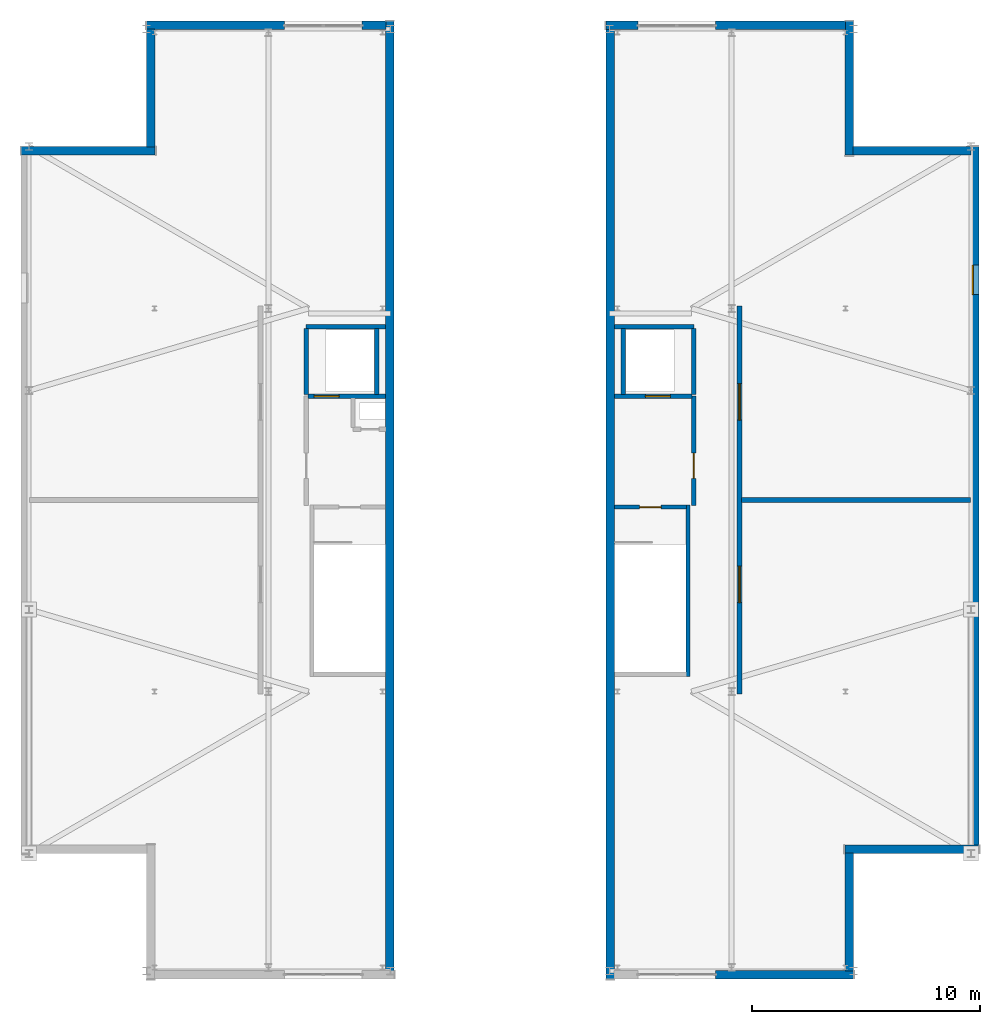
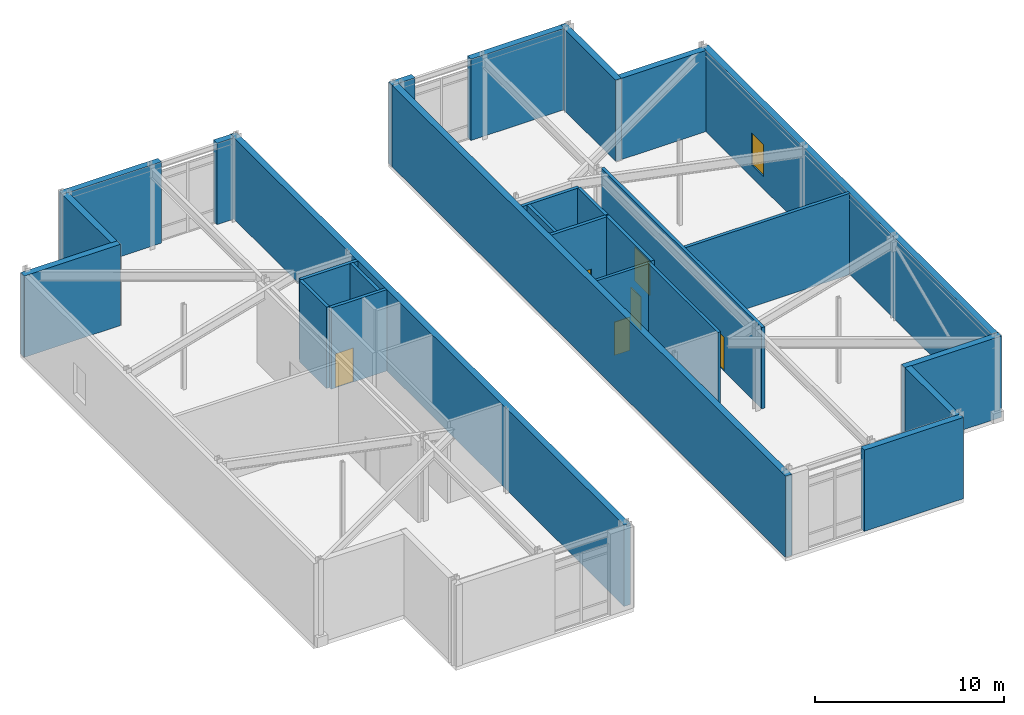
# One storey, part 12 of 14: 27 walls, 6 doors, 1 window, 7 openings.
"""IFC4 building model written with IfcOpenShell, lengths in metres."""

from ifc_helpers import new_model, si_unit, direction, frame, frame_2d, origin, place, context, subcontext, project, spatial, rectangle, extrude, material, layer, layer_set, type_object, element, fill, save


model = new_model("IFC4")

# Units and contexts
model_context = context("Model", 3, precision=1e-05, world=origin(), true_north=direction((0.0, 1.0)))
body_context = subcontext(model_context, "Body", "Model", "MODEL_VIEW")
ifc_project = project(units=[si_unit("LENGTHUNIT", "METRE"), si_unit("AREAUNIT", "SQUARE_METRE"), si_unit("VOLUMEUNIT", "CUBIC_METRE"), si_unit("PLANEANGLEUNIT", "RADIAN"), si_unit("MASSUNIT", "GRAM", prefix="KILO")], contexts=[model_context])

# Site, building, storey
site_placement = place(None, origin())
site = spatial("IfcSite", under=ifc_project, at=site_placement, CompositionType="ELEMENT")
building_placement = place(site_placement, origin())
building = spatial("IfcBuilding", under=site, at=building_placement, Name="Cairnveth Concourse Tower", CompositionType="ELEMENT")
storey_placement = place(building_placement, frame((0.0, 0.0, 330.0)))
storey = spatial("IfcBuildingStorey", under=building, at=storey_placement, Name="L90", CompositionType="ELEMENT", Elevation=330.0)

# Walls
ifc_material_1 = material(Name="Melbourne Buff Fired Clay Brick Masonry", Category="masonry")
ifc_layer_1 = layer(ifc_material_1, 0.3798828125)
ifc_layer_set_1 = layer_set([ifc_layer_1], Name="Melbourne Buff Fired Clay Brick Masonry")
wall_type_1 = type_object("IfcWallType", Name="EXTERIOR BRICK SPANDREL WALL 380", PredefinedType="SOLIDWALL", material=ifc_layer_set_1)
wall_1_placement = place(storey_placement, frame((31.0, 54.31005859375, 0.0), z_axis=(0.0, 0.0, 1.0), x_axis=(1.0, 0.0, 0.0)))
element("IfcWall", 1, at=wall_1_placement, inside=storey, type_object=wall_type_1, Name="Exterior Wall EW-L90-W3", PredefinedType="SOLIDWALL", context=body_context, shape_type="SweptSolid", body=[
    extrude(rectangle(XDim=5.8798828125, YDim=0.3798828125, at=frame_2d((2.93994140625, 0.0))), origin(), (0.0, 0.0, 1.0), 5.25),
])
wall_2_placement = place(storey_placement, frame((36.68994140625, 54.47802734375, 0.0), z_axis=(0.0, 0.0, 1.0), x_axis=(0.0, 1.0, 0.0)))
element("IfcWall", 2, at=wall_2_placement, inside=storey, type_object=wall_type_1, Name="Exterior Wall EW-L90-W4", PredefinedType="SOLIDWALL", context=body_context, shape_type="SweptSolid", body=[
    extrude(rectangle(XDim=5.1640625, YDim=0.3798828125, at=frame_2d((2.58203125, 0.0))), origin(), (0.0, 0.0, 1.0), 5.25),
])
wall_3_placement = place(storey_placement, frame((36.5, 59.81005859375, 0.0), z_axis=(0.0, 0.0, 1.0), x_axis=(1.0, 0.0, 0.0)))
element("IfcWall", 3, at=wall_3_placement, inside=storey, type_object=wall_type_1, Name="Exterior Wall EW-L90-W5A", PredefinedType="SOLIDWALL", context=body_context, shape_type="SweptSolid", body=[
    extrude(rectangle(XDim=6.050048828125, YDim=0.3798828125, at=frame_2d((3.02490234375, 0.0))), origin(), (0.0, 0.0, 1.0), 5.25),
])
wall_4_placement = place(storey_placement, frame((45.949951171875, 59.81005859375, 0.0), z_axis=(0.0, 0.0, 1.0), x_axis=(1.0, 0.0, 0.0)))
element("IfcWall", 4, at=wall_4_placement, inside=storey, type_object=wall_type_1, Name="Exterior Wall EW-L90-W5B", PredefinedType="SOLIDWALL", context=body_context, shape_type="SweptSolid", body=[
    extrude(rectangle(XDim=1.052001953125, YDim=0.3798828125, at=frame_2d((0.52587890625, 0.0))), origin(), (0.0, 0.0, 1.0), 5.25),
])
for number, where, z_axis, x_axis, name in (
    (5, (47.169921875, 60.0, 0.0), (0.0, 0.0, 1.0), (0.0, -1.0, 0.0), "Exterior Wall EW-L90-W6"),
    (6, (56.830078125, 18.0, 0.0), (0.0, 0.0, 1.0), (0.0, 1.0, 0.0), "Exterior Wall EW-L90-E0"),
):
    element("IfcWall", number, at=place(storey_placement, frame(where, z_axis=z_axis, x_axis=x_axis)), inside=storey, type_object=wall_type_1, Name=name, PredefinedType="SOLIDWALL", context=body_context, shape_type="SweptSolid", body=[
        extrude(rectangle(XDim=41.64208984375, YDim=0.3798828125, at=frame_2d((20.821044921875, 0.0))), origin(), (0.0, 0.0, 1.0), 5.25),
    ])
wall_5_placement = place(storey_placement, frame((56.639892578125, 59.81005859375, 0.0), z_axis=(0.0, 0.0, 1.0), x_axis=(1.0, 0.0, 0.0)))
element("IfcWall", 7, at=wall_5_placement, inside=storey, type_object=wall_type_1, Name="Exterior Wall EW-L90-E1A", PredefinedType="SOLIDWALL", context=body_context, shape_type="SweptSolid", body=[
    extrude(rectangle(XDim=1.41015625, YDim=0.3798828125, at=frame_2d((0.705078125, 0.0))), origin(), (0.0, 0.0, 1.0), 5.25),
])
wall_6_placement = place(storey_placement, frame((61.449951171875, 59.81005859375, 0.0), z_axis=(0.0, 0.0, 1.0), x_axis=(1.0, 0.0, 0.0)))
element("IfcWall", 8, at=wall_6_placement, inside=storey, type_object=wall_type_1, Name="Exterior Wall EW-L90-E1B", PredefinedType="SOLIDWALL", context=body_context, shape_type="SweptSolid", body=[
    extrude(rectangle(XDim=5.692138671875, YDim=0.3798828125, at=frame_2d((2.84619140625, 0.0))), origin(), (0.0, 0.0, 1.0), 5.25),
])
wall_7_placement = place(storey_placement, frame((67.31005859375, 60.0, 0.0), z_axis=(0.0, 0.0, 1.0), x_axis=(0.0, -1.0, 0.0)))
element("IfcWall", 9, at=wall_7_placement, inside=storey, type_object=wall_type_1, Name="Exterior Wall EW-L90-E2", PredefinedType="SOLIDWALL", context=body_context, shape_type="SweptSolid", body=[
    extrude(rectangle(XDim=5.8798828125, YDim=0.3798828125, at=frame_2d((2.93994140625, 0.0))), origin(), (0.0, 0.0, 1.0), 5.25),
])
wall_8_placement = place(storey_placement, frame((67.47802734375, 54.31005859375, 0.0), z_axis=(0.0, 0.0, 1.0), x_axis=(1.0, 0.0, 0.0)))
element("IfcWall", 10, at=wall_8_placement, inside=storey, type_object=wall_type_1, Name="Exterior Wall EW-L90-E3", PredefinedType="SOLIDWALL", context=body_context, shape_type="SweptSolid", body=[
    extrude(rectangle(XDim=5.1640625, YDim=0.3798828125, at=frame_2d((2.58203125, 0.0))), origin(), (0.0, 0.0, 1.0), 5.25),
])

# Wall, opening, window
wall_9_placement = place(storey_placement, frame((72.81005859375, 54.5, 0.0), z_axis=(0.0, 0.0, 1.0), x_axis=(0.0, -1.0, 0.0)))
wall_9 = element("IfcWall", 11, at=wall_9_placement, inside=storey, type_object=wall_type_1, Name="Exterior Wall EW-L90-E4", PredefinedType="SOLIDWALL", context=body_context, shape_type="SweptSolid", body=[
    extrude(rectangle(XDim=30.64208984375, YDim=0.3798828125, at=frame_2d((15.321044921875, 0.0))), origin(), (0.0, 0.0, 1.0), 5.25),
])
opening_1_placement = place(wall_9_placement, frame((5.199951171875, 0.0, 0.800048828125)))
opening_1 = element("IfcOpeningElement", 12, at=opening_1_placement, cuts=wall_9, Name="Opening W12", PredefinedType="OPENING", context=body_context, shape_type="SweptSolid", body=[
    extrude(rectangle(XDim=1.300048828125, YDim=2.050048828125, at=frame_2d((0.64990234375, 1.02490234375))), frame((0.0, 0.199951171875, 0.0), z_axis=(0.0, -1.0, 0.0), x_axis=(1.0, 0.0, 0.0)), (0.0, 0.0, 1.0), 0.39990234375),
])
ifc_material_2 = material(Name="Double Glazed Low-E Clear Glass", Category="glass")
window_type = type_object("IfcWindowType", Name="CROWN GABLE LANCET WINDOW 1300X2200", PartitioningType="DOUBLE_PANEL_VERTICAL", PredefinedType="WINDOW", material=ifc_material_2)
window_placement = place(opening_1_placement, origin())
window = element("IfcWindow", 13, at=window_placement, inside=storey, type_object=window_type, Name="WIN-L90-E4-1", OverallHeight=2.050048828125, OverallWidth=1.300048828125, PartitioningType="SINGLE_PANEL", PredefinedType="WINDOW", context=body_context, shape_type="SweptSolid", body=[
    extrude(rectangle(XDim=1.300048828125, YDim=2.050048828125, at=frame_2d((0.64990234375, 1.02490234375))), frame((0.0, -0.050048828125, 0.0), z_axis=(0.0, -1.0, 0.0), x_axis=(1.0, 0.0, 0.0)), (0.0, 0.0, 1.0), 0.06005859375),
])
fill(opening_1, window)

# Walls
wall_10_placement = place(storey_placement, frame((73.0, 23.68994140625, 0.0), z_axis=(0.0, 0.0, 1.0), x_axis=(-1.0, 0.0, 0.0)))
element("IfcWall", 14, at=wall_10_placement, inside=storey, type_object=wall_type_1, Name="Exterior Wall EW-L90-E5", PredefinedType="SOLIDWALL", context=body_context, shape_type="SweptSolid", body=[
    extrude(rectangle(XDim=5.8798828125, YDim=0.3798828125, at=frame_2d((2.93994140625, 0.0))), origin(), (0.0, 0.0, 1.0), 5.25),
])
wall_11_placement = place(storey_placement, frame((67.31005859375, 23.52197265625, 0.0), z_axis=(0.0, 0.0, 1.0), x_axis=(0.0, -1.0, 0.0)))
element("IfcWall", 15, at=wall_11_placement, inside=storey, type_object=wall_type_1, Name="Exterior Wall EW-L90-E6", PredefinedType="SOLIDWALL", context=body_context, shape_type="SweptSolid", body=[
    extrude(rectangle(XDim=5.1640625, YDim=0.3798828125, at=frame_2d((2.58203125, 0.0))), origin(), (0.0, 0.0, 1.0), 5.25),
])
wall_12_placement = place(storey_placement, frame((67.5, 18.18994140625, 0.0), z_axis=(0.0, 0.0, 1.0), x_axis=(-1.0, 0.0, 0.0)))
element("IfcWall", 16, at=wall_12_placement, inside=storey, type_object=wall_type_1, Name="Exterior Wall EW-L90-E7A", PredefinedType="SOLIDWALL", context=body_context, shape_type="SweptSolid", body=[
    extrude(rectangle(XDim=6.050048828125, YDim=0.3798828125, at=frame_2d((3.02490234375, 0.0))), origin(), (0.0, 0.0, 1.0), 5.25),
])

# Wall, opening, door
ifc_material_3 = material(Name="Concrete N50 (50 MPa)", Category="concrete")
ifc_layer_2 = layer(ifc_material_3, 0.179931640625)
ifc_layer_set_2 = layer_set([ifc_layer_2], Name="Concrete N50 (50 MPa)")
wall_type_2 = type_object("IfcWallType", Name="FIRE SHAFT WALL 180", PredefinedType="SOLIDWALL", material=ifc_layer_set_2)
wall_13_placement = place(storey_placement, frame((57.010009765625, 38.68994140625, 0.0), z_axis=(0.0, 0.0, 1.0), x_axis=(1.0, 0.0, 0.0)))
wall_13 = element("IfcWall", 17, at=wall_13_placement, inside=storey, type_object=wall_type_2, Name="Stair ST-2 Shaft Wall NEAR L90", PredefinedType="SOLIDWALL", context=body_context, shape_type="SweptSolid", body=[
    extrude(rectangle(XDim=3.1650390625, YDim=0.179931640625, at=frame_2d((1.58251953125, 0.0))), origin(), (0.0, 0.0, 1.0), 5.25),
])
opening_2_placement = place(wall_13_placement, frame((1.107421875, 0.0, 0.0)))
opening_2 = element("IfcOpeningElement", 18, at=opening_2_placement, cuts=wall_13, Name="Opening ID12", PredefinedType="OPENING", context=body_context, shape_type="SweptSolid", body=[
    extrude(rectangle(XDim=0.949951171875, YDim=2.14990234375, at=frame_2d((0.47509765625, 1.074951171875))), frame((0.0, 0.099853515625, 0.0), z_axis=(0.0, -1.0, 0.0), x_axis=(1.0, 0.0, 0.0)), (0.0, 0.0, 1.0), 0.199951171875),
])
ifc_material_4 = material(Name="Steel Grade 350", Category="steel")
door_type_1 = type_object("IfcDoorType", Name="FIRE STAIR DOOR 950X2150", OperationType="NOTDEFINED", PredefinedType="DOOR", material=ifc_material_4)
door_1_placement = place(opening_2_placement, origin())
door_1 = element("IfcDoor", 19, at=door_1_placement, inside=storey, type_object=door_type_1, Name="Stair ST-2 Fire Door L90", OperationType="SINGLE_SWING_RIGHT", OverallHeight=2.14990234375, OverallWidth=0.949951171875, PredefinedType="DOOR", context=body_context, shape_type="SweptSolid", body=[
    extrude(rectangle(XDim=0.949951171875, YDim=2.14990234375, at=frame_2d((0.47509765625, 1.074951171875))), frame((0.0, 0.02490234375, 0.0), z_axis=(0.0, -1.0, 0.0), x_axis=(1.0, 0.0, 0.0)), (0.0, 0.0, 1.0), 0.050048828125),
])
fill(opening_2, door_1)

# Wall
wall_14_placement = place(storey_placement, frame((60.25, 38.780029296875, 0.0), z_axis=(0.0, 0.0, 1.0), x_axis=(0.0, -1.0, 0.0)))
element("IfcWall", 20, at=wall_14_placement, inside=storey, type_object=wall_type_2, Name="Stair ST-2 Shaft Wall RGHT L90", PredefinedType="SOLIDWALL", context=body_context, shape_type="SweptSolid", body=[
    extrude(rectangle(XDim=7.510009765625, YDim=0.179931640625, at=frame_2d((3.7548828125, 0.0))), origin(), (0.0, 0.0, 1.0), 5.25),
])

# Wall, opening, door
ifc_layer_3 = layer(ifc_material_3, 0.199951171875)
ifc_layer_set_3 = layer_set([ifc_layer_3], Name="Concrete N50 (50 MPa)")
wall_type_3 = type_object("IfcWallType", Name="FIRE SHAFT WALL 200", PredefinedType="SOLIDWALL", material=ifc_layer_set_3)
wall_15_placement = place(storey_placement, frame((43.5849609375, 43.550048828125, 0.0), z_axis=(0.0, 0.0, 1.0), x_axis=(1.0, 0.0, 0.0)))
wall_15 = element("IfcWall", 21, at=wall_15_placement, inside=storey, type_object=wall_type_3, Name="Interior Wall IW-L90-002", PredefinedType="SOLIDWALL", context=body_context, shape_type="SweptSolid", body=[
    extrude(rectangle(XDim=3.39501953125, YDim=0.199951171875, at=frame_2d((1.697509765625, 0.0))), origin(), (0.0, 0.0, 1.0), 5.25),
])
opening_3_placement = place(wall_15_placement, frame((0.264892578125, 0.0, 0.0)))
opening_3 = element("IfcOpeningElement", 22, at=opening_3_placement, cuts=wall_15, Name="Opening LD-1", PredefinedType="OPENING", context=body_context, shape_type="SweptSolid", body=[
    extrude(rectangle(XDim=1.10009765625, YDim=2.199951171875, at=frame_2d((0.550048828125, 1.10009765625))), frame((0.0, 0.10986328125, 0.0), z_axis=(0.0, -1.0, 0.0), x_axis=(1.0, 0.0, 0.0)), (0.0, 0.0, 1.0), 0.219970703125),
])
ifc_material_5 = material(Name="Architectural Bronze Anodised Aluminium 6063-T6", Category="aluminium")
door_type_2 = type_object("IfcDoorType", Name="LIFT LANDING DOOR 1100X2200", OperationType="SLIDING_TO_LEFT", PredefinedType="DOOR", material=ifc_material_5)
door_2_placement = place(opening_3_placement, origin())
door_2 = element("IfcDoor", 23, at=door_2_placement, inside=storey, type_object=door_type_2, Name="Lift FFL1 Landing Door L90", OperationType="SLIDING_TO_LEFT", OverallHeight=2.199951171875, OverallWidth=1.10009765625, PredefinedType="DOOR", context=body_context, shape_type="SweptSolid", body=[
    extrude(rectangle(XDim=1.10009765625, YDim=2.199951171875, at=frame_2d((0.550048828125, 1.10009765625))), frame((0.0, 0.02490234375, 0.0), z_axis=(0.0, -1.0, 0.0), x_axis=(1.0, 0.0, 0.0)), (0.0, 0.0, 1.0), 0.050048828125),
])
fill(opening_3, door_2)

# Walls
wall_16_placement = place(storey_placement, frame((43.5, 46.60009765625, 0.0), z_axis=(0.0, 0.0, 1.0), x_axis=(1.0, 0.0, 0.0)))
element("IfcWall", 24, at=wall_16_placement, inside=storey, type_object=wall_type_3, Name="Interior Wall IW-L90-003", PredefinedType="SOLIDWALL", context=body_context, shape_type="SweptSolid", body=[
    extrude(rectangle(XDim=3.47998046875, YDim=0.199951171875, at=frame_2d((1.739990234375, 0.0))), origin(), (0.0, 0.0, 1.0), 5.25),
])
for number, where, z_axis, x_axis, name in (
    (25, (46.60009765625, 43.635009765625, 0.0), (0.0, 0.0, 1.0), (0.0, 1.0, 0.0), "Interior Wall IW-L90-004"),
    (26, (43.5, 43.635009765625, 0.0), (0.0, 0.0, 1.0), (0.0, 1.0, 0.0), "Interior Wall IW-L90-005"),
):
    element("IfcWall", number, at=place(storey_placement, frame(where, z_axis=z_axis, x_axis=x_axis)), inside=storey, type_object=wall_type_3, Name=name, PredefinedType="SOLIDWALL", context=body_context, shape_type="SweptSolid", body=[
        extrude(rectangle(XDim=2.8798828125, YDim=0.199951171875, at=frame_2d((1.43994140625, 0.0))), origin(), (0.0, 0.0, 1.0), 5.25),
    ])

# Wall, opening, door
wall_17_placement = place(storey_placement, frame((60.5, 38.75, 0.0), z_axis=(0.0, 0.0, 1.0), x_axis=(0.0, 1.0, 0.0)))
wall_17 = element("IfcWall", 27, at=wall_17_placement, inside=storey, type_object=wall_type_3, Name="Interior Wall IW-L90-008", PredefinedType="SOLIDWALL", context=body_context, shape_type="SweptSolid", body=[
    extrude(rectangle(XDim=4.800048828125, YDim=0.199951171875, at=frame_2d((2.39990234375, 0.0))), origin(), (0.0, 0.0, 1.0), 5.25),
])
opening_4_placement = place(wall_17_placement, frame((1.199951171875, 0.0, 0.0)))
opening_4 = element("IfcOpeningElement", 28, at=opening_4_placement, cuts=wall_17, Name="Opening ID06", PredefinedType="OPENING", context=body_context, shape_type="SweptSolid", body=[
    extrude(rectangle(XDim=1.10009765625, YDim=2.14990234375, at=frame_2d((0.550048828125, 1.074951171875))), frame((0.0, 0.10986328125, 0.0), z_axis=(0.0, -1.0, 0.0), x_axis=(1.0, 0.0, 0.0)), (0.0, 0.0, 1.0), 0.219970703125),
])
door_type_3 = type_object("IfcDoorType", Name="FIRE CORRIDOR DOOR 1100X2150", OperationType="NOTDEFINED", PredefinedType="DOOR", material=ifc_material_4)
door_3_placement = place(opening_4_placement, origin())
door_3 = element("IfcDoor", 29, at=door_3_placement, inside=storey, type_object=door_type_3, Name="East Crown to FF Lobby Door L90", OperationType="SINGLE_SWING_RIGHT", OverallHeight=2.14990234375, OverallWidth=1.10009765625, PredefinedType="DOOR", context=body_context, shape_type="SweptSolid", body=[
    extrude(rectangle(XDim=1.10009765625, YDim=2.14990234375, at=frame_2d((0.550048828125, 1.074951171875))), frame((0.0, 0.02490234375, 0.0), z_axis=(0.0, -1.0, 0.0), x_axis=(1.0, 0.0, 0.0)), (0.0, 0.0, 1.0), 0.050048828125),
])
fill(opening_4, door_3)

wall_18_placement = place(storey_placement, frame((57.02001953125, 43.550048828125, 0.0), z_axis=(0.0, 0.0, 1.0), x_axis=(1.0, 0.0, 0.0)))
wall_18 = element("IfcWall", 30, at=wall_18_placement, inside=storey, type_object=wall_type_3, Name="Interior Wall IW-L90-009", PredefinedType="SOLIDWALL", context=body_context, shape_type="SweptSolid", body=[
    extrude(rectangle(XDim=3.39501953125, YDim=0.199951171875, at=frame_2d((1.697509765625, 0.0))), origin(), (0.0, 0.0, 1.0), 5.25),
])
opening_5_placement = place(wall_18_placement, frame((1.35009765625, 0.0, 0.0)))
opening_5 = element("IfcOpeningElement", 31, at=opening_5_placement, cuts=wall_18, Name="Opening LD-1", PredefinedType="OPENING", context=body_context, shape_type="SweptSolid", body=[
    extrude(rectangle(XDim=1.10009765625, YDim=2.199951171875, at=frame_2d((0.550048828125, 1.10009765625))), frame((0.0, 0.10986328125, 0.0), z_axis=(0.0, -1.0, 0.0), x_axis=(1.0, 0.0, 0.0)), (0.0, 0.0, 1.0), 0.219970703125),
])
door_4_placement = place(opening_5_placement, origin())
door_4 = element("IfcDoor", 32, at=door_4_placement, inside=storey, type_object=door_type_2, Name="Lift FFL2 Landing Door L90", OperationType="SLIDING_TO_LEFT", OverallHeight=2.199951171875, OverallWidth=1.10009765625, PredefinedType="DOOR", context=body_context, shape_type="SweptSolid", body=[
    extrude(rectangle(XDim=1.10009765625, YDim=2.199951171875, at=frame_2d((0.550048828125, 1.10009765625))), frame((0.0, 0.02490234375, 0.0), z_axis=(0.0, -1.0, 0.0), x_axis=(1.0, 0.0, 0.0)), (0.0, 0.0, 1.0), 0.050048828125),
])
fill(opening_5, door_4)

# Walls
wall_19_placement = place(storey_placement, frame((57.02001953125, 46.60009765625, 0.0), z_axis=(0.0, 0.0, 1.0), x_axis=(1.0, 0.0, 0.0)))
element("IfcWall", 33, at=wall_19_placement, inside=storey, type_object=wall_type_3, Name="Interior Wall IW-L90-010", PredefinedType="SOLIDWALL", context=body_context, shape_type="SweptSolid", body=[
    extrude(rectangle(XDim=3.47998046875, YDim=0.199951171875, at=frame_2d((1.739990234375, 0.0))), origin(), (0.0, 0.0, 1.0), 5.25),
])
for number, where, z_axis, x_axis, name in (
    (34, (57.39990234375, 43.635009765625, 0.0), (0.0, 0.0, 1.0), (0.0, 1.0, 0.0), "Interior Wall IW-L90-011"),
    (35, (60.5, 43.635009765625, 0.0), (0.0, 0.0, 1.0), (0.0, 1.0, 0.0), "Interior Wall IW-L90-012"),
):
    element("IfcWall", number, at=place(storey_placement, frame(where, z_axis=z_axis, x_axis=x_axis)), inside=storey, type_object=wall_type_3, Name=name, PredefinedType="SOLIDWALL", context=body_context, shape_type="SweptSolid", body=[
        extrude(rectangle(XDim=2.8798828125, YDim=0.199951171875, at=frame_2d((1.43994140625, 0.0))), origin(), (0.0, 0.0, 1.0), 5.25),
    ])

# Wall, openings, doors
wall_20_placement = place(storey_placement, frame((62.5, 30.5, 0.0), z_axis=(0.0, 0.0, 1.0), x_axis=(0.0, 1.0, 0.0)))
wall_20 = element("IfcWall", 36, at=wall_20_placement, inside=storey, type_object=wall_type_3, Name="Interior Wall IW-L90-015", PredefinedType="SOLIDWALL", context=body_context, shape_type="SweptSolid", body=[
    extrude(rectangle(XDim=17.0, YDim=0.199951171875, at=frame_2d((8.5, 0.0))), origin(), (0.0, 0.0, 1.0), 5.25),
])
opening_6_placement = place(wall_20_placement, frame((4.0, 0.0, 0.0)))
opening_6 = element("IfcOpeningElement", 37, at=opening_6_placement, cuts=wall_20, Name="Opening ID02", PredefinedType="OPENING", context=body_context, shape_type="SweptSolid", body=[
    extrude(rectangle(XDim=1.60009765625, YDim=2.199951171875, at=frame_2d((0.800048828125, 1.10009765625))), frame((0.0, 0.10986328125, 0.0), z_axis=(0.0, -1.0, 0.0), x_axis=(1.0, 0.0, 0.0)), (0.0, 0.0, 1.0), 0.219970703125),
])
opening_7_placement = place(wall_20_placement, frame((12.0, 0.0, 0.0)))
opening_7 = element("IfcOpeningElement", 38, at=opening_7_placement, cuts=wall_20, Name="Opening ID02", PredefinedType="OPENING", context=body_context, shape_type="SweptSolid", body=[
    extrude(rectangle(XDim=1.60009765625, YDim=2.199951171875, at=frame_2d((0.800048828125, 1.10009765625))), frame((0.0, 0.10986328125, 0.0), z_axis=(0.0, -1.0, 0.0), x_axis=(1.0, 0.0, 0.0)), (0.0, 0.0, 1.0), 0.219970703125),
])
door_type_4 = type_object("IfcDoorType", Name="PLANT DOUBLE DOOR 1600X2200", OperationType="DOUBLE_DOOR_SINGLE_SWING", PredefinedType="DOOR", material=ifc_material_4)
door_5_placement = place(opening_6_placement, origin())
door_5 = element("IfcDoor", 39, at=door_5_placement, inside=storey, type_object=door_type_4, Name="Interior Door DR-L90-008", OperationType="DOUBLE_DOOR_SINGLE_SWING", OverallHeight=2.199951171875, OverallWidth=1.60009765625, PredefinedType="DOOR", context=body_context, shape_type="SweptSolid", body=[
    extrude(rectangle(XDim=1.60009765625, YDim=2.199951171875, at=frame_2d((0.800048828125, 1.10009765625))), frame((0.0, 0.02490234375, 0.0), z_axis=(0.0, -1.0, 0.0), x_axis=(1.0, 0.0, 0.0)), (0.0, 0.0, 1.0), 0.050048828125),
])
fill(opening_6, door_5)
door_6_placement = place(opening_7_placement, origin())
door_6 = element("IfcDoor", 40, at=door_6_placement, inside=storey, type_object=door_type_4, Name="Interior Door DR-L90-009", OperationType="DOUBLE_DOOR_SINGLE_SWING", OverallHeight=2.199951171875, OverallWidth=1.60009765625, PredefinedType="DOOR", context=body_context, shape_type="SweptSolid", body=[
    extrude(rectangle(XDim=1.60009765625, YDim=2.199951171875, at=frame_2d((0.800048828125, 1.10009765625))), frame((0.0, 0.02490234375, 0.0), z_axis=(0.0, -1.0, 0.0), x_axis=(1.0, 0.0, 0.0)), (0.0, 0.0, 1.0), 0.050048828125),
])
fill(opening_7, door_6)

# Wall
wall_21_placement = place(storey_placement, frame((62.5849609375, 39.0, 0.0), z_axis=(0.0, 0.0, 1.0), x_axis=(1.0, 0.0, 0.0)))
element("IfcWall", 41, at=wall_21_placement, inside=storey, type_object=wall_type_3, Name="Interior Wall IW-L90-016", PredefinedType="SOLIDWALL", context=body_context, shape_type="SweptSolid", body=[
    extrude(rectangle(XDim=10.050048828125, YDim=0.199951171875, at=frame_2d((5.02490234375, 0.0))), origin(), (0.0, 0.0, 1.0), 5.25),
])

save(model, "model.ifc")
